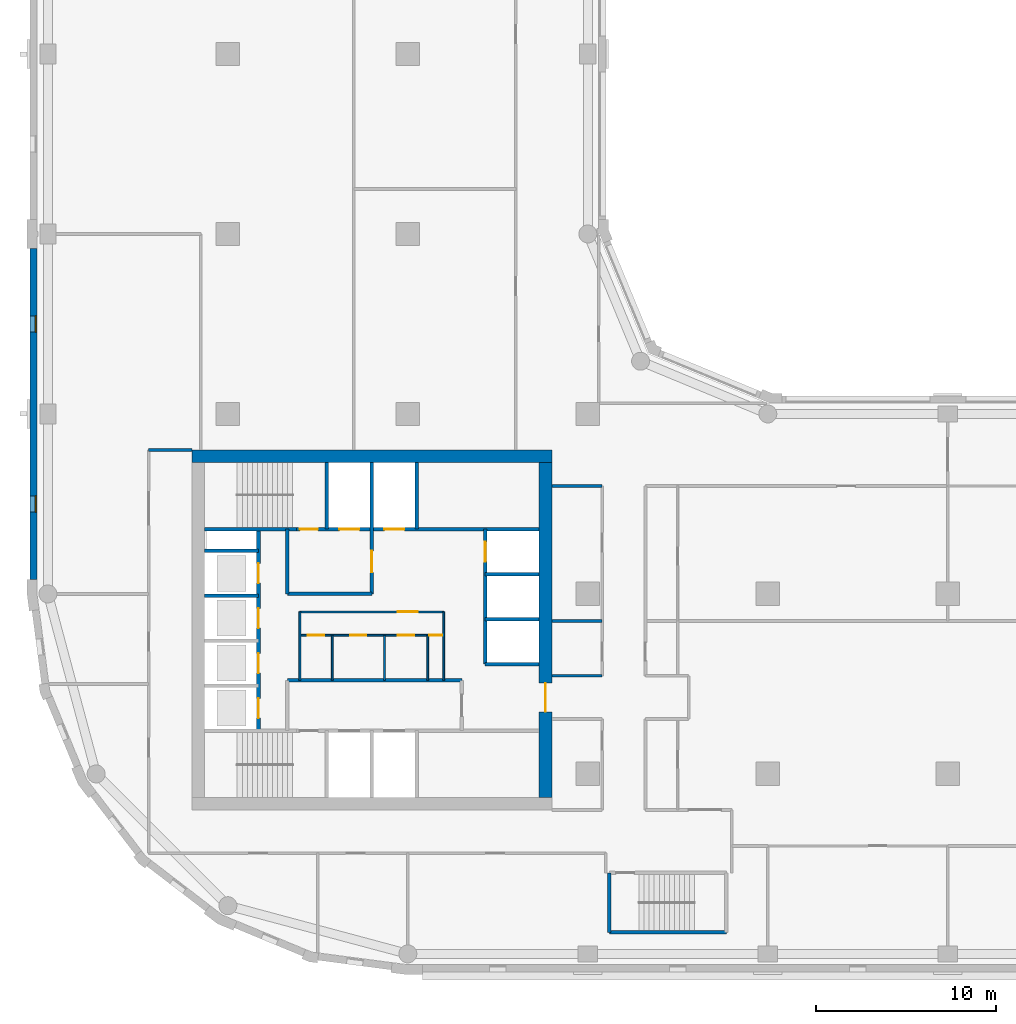
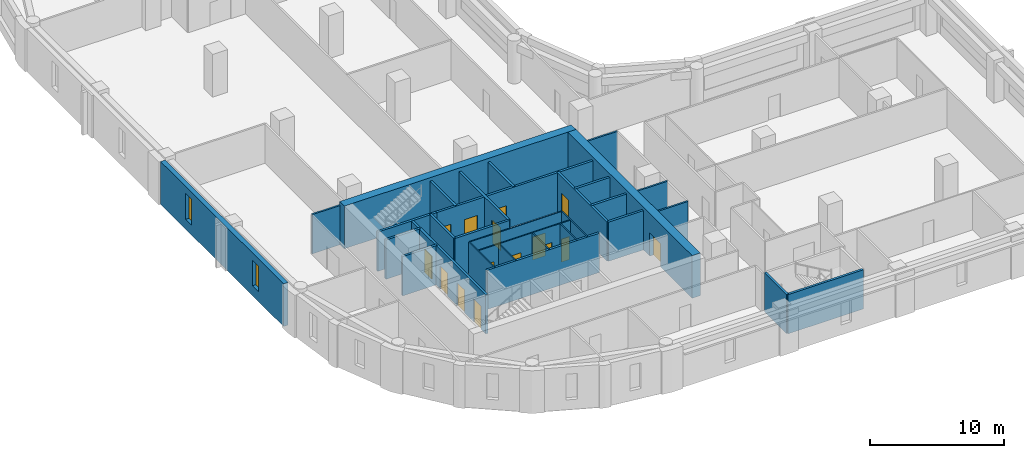
# One storey, part 3 of 9: 31 walls, 15 doors, 2 windows, 17 openings.
"""IFC4 building model written with IfcOpenShell, lengths in metres."""

import ifcopenshell
import ifcopenshell.guid

model = None  # the IFC model being written
_history = None  # IfcOwnerHistory: only IFC2X3 demands one
_inside = {}  # id of a spatial element -> (the spatial element, [elements in it])
_under = {}  # id of a project, library or spatial element -> (it, [spatial elements below it])
_declared = {}  # id of a project -> (the project, [libraries it declares])
_typed = {}  # id of a type object -> (the type object, [elements of that type])
_made_of = {}  # id of a material, layer set ... -> (it, [elements and type objects made of it])


def new_model(schema):
    """Start an empty IFC model of exactly this schema.

    Asked for "IFC4X3", IfcOpenShell would pick the latest addendum, in which some entities
    have other attributes; the version numbers below select the first issue.
    IFC2X3 requires an IfcOwnerHistory on every rooted entity: one is made here for all.
    """
    global model, _history
    if schema == "IFC4X3":
        model = ifcopenshell.file(schema_version=(4, 3, 0, 0))
    else:
        model = ifcopenshell.file(schema=schema)
    _inside.clear()
    _under.clear()
    _declared.clear()
    _typed.clear()
    _made_of.clear()
    _history = None
    if model.schema == "IFC2X3":
        org = make("IfcOrganization", Name="unknown")
        user = make(
            "IfcPersonAndOrganization",
            ThePerson=make("IfcPerson", FamilyName="unknown"),
            TheOrganization=org,
        )
        app = make(
            "IfcApplication",
            ApplicationDeveloper=org,
            Version="unknown",
            ApplicationFullName="unknown",
            ApplicationIdentifier="unknown",
        )
        _history = make(
            "IfcOwnerHistory",
            OwningUser=user,
            OwningApplication=app,
            ChangeAction="ADDED",
            CreationDate=0,
        )
    return model


def make(cls, **values):
    """One entity of the class cls with the attributes given. An attribute that is None is left unset."""
    return model.create_entity(
        cls, **{name: value for name, value in values.items() if value is not None}
    )


def rooted(cls, **values):
    """An entity with a GlobalId (a new one), such as an element, a storey or a relation."""
    return make(cls, GlobalId=ifcopenshell.guid.new(), OwnerHistory=_history, **values)


def si_unit(unit_type, name, prefix=None):
    """IfcSIUnit, for example si_unit("LENGTHUNIT", "METRE", prefix="MILLI")."""
    return make("IfcSIUnit", UnitType=unit_type, Prefix=prefix, Name=name)


def assignment(units):
    """IfcUnitAssignment: the units of a project."""
    return None if units is None else make("IfcUnitAssignment", Units=units)


def point(xyz):
    """IfcCartesianPoint."""
    return None if xyz is None else make("IfcCartesianPoint", Coordinates=xyz)


def direction(xyz):
    """IfcDirection."""
    return None if xyz is None else make("IfcDirection", DirectionRatios=xyz)


def frame(location, z_axis=None, x_axis=None):
    """IfcAxis2Placement3D, a coordinate frame: its origin and axes. An axis left out is left unset."""
    return make(
        "IfcAxis2Placement3D",
        Location=point(location),
        Axis=direction(z_axis),
        RefDirection=direction(x_axis),
    )


def frame_2d(location, x_axis=None):
    """IfcAxis2Placement2D, a coordinate frame in the plane: its origin and x axis."""
    return make(
        "IfcAxis2Placement2D", Location=point(location), RefDirection=direction(x_axis)
    )


def origin():
    """The frame at (0, 0, 0) with its axes left unset."""
    return frame((0.0, 0.0, 0.0))


def place(relative_to, where):
    """IfcLocalPlacement: puts the frame where relative to a parent placement (None: the world)."""
    return make(
        "IfcLocalPlacement", PlacementRelTo=relative_to, RelativePlacement=where
    )


def context(
    kind, dimensions, precision=None, world=None, true_north=None, identifier=None
):
    """IfcGeometricRepresentationContext, for example the 3D "Model" context."""
    return make(
        "IfcGeometricRepresentationContext",
        ContextIdentifier=identifier,
        ContextType=kind,
        CoordinateSpaceDimension=dimensions,
        Precision=precision,
        WorldCoordinateSystem=world,
        TrueNorth=true_north,
    )


def subcontext(parent, identifier, kind, view, scale=None):
    """IfcGeometricRepresentationSubContext, for example "Body" below "Model"."""
    return make(
        "IfcGeometricRepresentationSubContext",
        ContextIdentifier=identifier,
        ContextType=kind,
        ParentContext=parent,
        TargetScale=scale,
        TargetView=view,
    )


def project(units=None, contexts=None):
    """IfcProject with its units and contexts."""
    return rooted(
        "IfcProject",
        Name="project",
        RepresentationContexts=contexts,
        UnitsInContext=assignment(units),
    )


def spatial(cls, under=None, at=None, **own):
    """A site, building, storey or space (cls), placed at a placement, below another one or the project."""
    s = rooted(cls, ObjectPlacement=at, **own)
    if under is not None:
        _under.setdefault(under.id(), (under, []))[1].append(s)
    return s


def profile(cls, at=None, kind="AREA", **sizes):
    """A parametric profile (cls). Its sizes go by their IFC names, for example OverallWidth=200.0."""
    return make(cls, ProfileType=kind, Position=at, **sizes)


def rectangle(**sizes):
    """IfcRectangleProfileDef."""
    return profile("IfcRectangleProfileDef", **sizes)


def extrude(swept, where, along, depth):
    """IfcExtrudedAreaSolid: the profile swept, set in the frame where, extruded along a direction by depth."""
    return make(
        "IfcExtrudedAreaSolid",
        SweptArea=swept,
        Position=where,
        ExtrudedDirection=direction(along),
        Depth=depth,
    )


def shape(context_of_items, identifier, shape_type, items):
    """IfcShapeRepresentation: the items that make up one representation, for example the "Body"."""
    return make(
        "IfcShapeRepresentation",
        ContextOfItems=context_of_items,
        RepresentationIdentifier=identifier,
        RepresentationType=shape_type,
        Items=items,
    )


def material(Name=None, Category=None):
    """IfcMaterial."""
    return make("IfcMaterial", Name=Name, Category=Category)


def layer(
    of_material, thickness, ventilated=None, Name=None, Category=None, Priority=None
):
    """IfcMaterialLayer: one layer of a wall or slab, of a material (None: an air gap)."""
    return make(
        "IfcMaterialLayer",
        Material=of_material,
        LayerThickness=thickness,
        IsVentilated=ventilated,
        Name=Name,
        Category=Category,
        Priority=Priority,
    )


def layer_set(layers, Name=None):
    """IfcMaterialLayerSet."""
    return make("IfcMaterialLayerSet", MaterialLayers=layers, LayerSetName=Name)


def made_of(thing, what):
    """Note that an element or type object is made of a material, layer set ...; save() writes the relation."""
    if what is not None:
        _made_of.setdefault(what.id(), (what, []))[1].append(thing)
    return thing


def type_object(cls, material=None, **own):
    """A type object (cls), such as IfcWallType, which elements share."""
    return made_of(rooted(cls, **own), material)


def element(
    cls,
    number,
    at=None,
    inside=None,
    cuts=None,
    type_object=None,
    material=None,
    context=None,
    identifier="Body",
    shape_type=None,
    held_by="IfcProductDefinitionShape",
    body=None,
    shapes=None,
    **own,
):
    """One element of the class cls, such as IfcWall. Its Tag is "e" and its number.

    at: its placement. inside: the storey or other place that contains it. cuts: it is an
    opening in that element (IfcRelVoidsElement). A single representation is given by context,
    identifier, shape_type and body (its items); several are given by shapes. held_by: the class
    of the entity that holds the representations. save() writes the other relations.
    """
    e = rooted(cls, Tag="e%d" % number, ObjectPlacement=at, **own)
    if body is not None:
        shapes = [shape(context, identifier, shape_type, body)]
    if shapes is not None:
        e.Representation = make(held_by, Representations=shapes)
    if inside is not None:
        _inside.setdefault(inside.id(), (inside, []))[1].append(e)
    if cuts is not None:
        rooted(
            "IfcRelVoidsElement", RelatingBuildingElement=cuts, RelatedOpeningElement=e
        )
    if type_object is not None:
        _typed.setdefault(type_object.id(), (type_object, []))[1].append(e)
    return made_of(e, material)


def fill(opening, filler):
    """IfcRelFillsElement: the door or window that sits in an opening."""
    return rooted(
        "IfcRelFillsElement",
        RelatingOpeningElement=opening,
        RelatedBuildingElement=filler,
    )


def aggregate(whole, parts):
    """IfcRelAggregates: a whole, such as a stair, and the parts it consists of."""
    return rooted("IfcRelAggregates", RelatingObject=whole, RelatedObjects=parts)


def save(model, path):
    """Write the relations noted so far, then the file.

    IfcRelAggregates (storeys below a building ...), IfcRelContainedInSpatialStructure (elements
    in a storey), IfcRelDefinesByType, IfcRelAssociatesMaterial and IfcRelDeclares: one each for
    every whole, place, type object, material and project.
    """
    for whole, parts in _under.values():
        aggregate(whole, parts)
    for where, things in _inside.values():
        rooted(
            "IfcRelContainedInSpatialStructure",
            RelatedElements=things,
            RelatingStructure=where,
        )
    for kind, things in _typed.values():
        rooted("IfcRelDefinesByType", RelatedObjects=things, RelatingType=kind)
    for what, things in _made_of.values():
        rooted("IfcRelAssociatesMaterial", RelatedObjects=things, RelatingMaterial=what)
    for by, libraries in _declared.values():
        rooted("IfcRelDeclares", RelatingContext=by, RelatedDefinitions=libraries)
    model.write(path)


model = new_model("IFC4")

# Units and contexts
model_context = context("Model", 3, precision=1e-05, world=origin(), true_north=direction((0.0, 1.0)))
body_context = subcontext(model_context, "Body", "Model", "MODEL_VIEW")
ifc_project = project(units=[si_unit("LENGTHUNIT", "METRE"), si_unit("AREAUNIT", "SQUARE_METRE"), si_unit("VOLUMEUNIT", "CUBIC_METRE"), si_unit("PLANEANGLEUNIT", "RADIAN"), si_unit("MASSUNIT", "GRAM", prefix="KILO")], contexts=[model_context])

# Site, building, storey
site_placement = place(None, origin())
site = spatial("IfcSite", under=ifc_project, at=site_placement, CompositionType="ELEMENT")
building_placement = place(site_placement, origin())
building = spatial("IfcBuilding", under=site, at=building_placement, Name="Qaws Garden Tower", CompositionType="ELEMENT")
storey_placement = place(building_placement, frame((0.0, 0.0, 170.699951171875)))
storey = spatial("IfcBuildingStorey", under=building, at=storey_placement, Name="L41", CompositionType="ELEMENT", Elevation=170.699951171875)

# Wall, openings, windows
ifc_material_1 = material(Name="Clay facing brick masonry", Category="masonry")
ifc_layer_1 = layer(ifc_material_1, 0.39990234375)
ifc_layer_set_1 = layer_set([ifc_layer_1], Name="Clay facing brick masonry")
wall_type_1 = type_object("IfcWallType", Name="Brick infill wall 400", PredefinedType="SOLIDWALL", material=ifc_layer_set_1)
wall_1_placement = place(storey_placement, frame((-0.800048828125, 39.199951171875, 0.0), z_axis=(0.0, 0.0, 1.0), x_axis=(0.0, -1.0, 0.0)))
wall_1 = element("IfcWall", 1, at=wall_1_placement, inside=storey, type_object=wall_type_1, Name="E-L41-infill-23", PredefinedType="SOLIDWALL", context=body_context, shape_type="SweptSolid", body=[
    extrude(rectangle(XDim=18.39990234375, YDim=0.39990234375, at=frame_2d((9.199951171875, 0.0))), origin(), (0.0, 0.0, 1.0), 3.900146484375),
])
opening_1_placement = place(wall_1_placement, frame((3.75, 0.0, 0.89990234375)))
opening_1 = element("IfcOpeningElement", 2, at=opening_1_placement, cuts=wall_1, Name="Opening W09", PredefinedType="OPENING", context=body_context, shape_type="SweptSolid", body=[
    extrude(rectangle(XDim=0.89990234375, YDim=2.35009765625, at=frame_2d((0.449951171875, 1.175048828125))), frame((0.0, 0.2099609375, 0.0), z_axis=(0.0, -1.0, 0.0), x_axis=(1.0, 0.0, 0.0)), (0.0, 0.0, 1.0), 0.419921875),
])
opening_2_placement = place(wall_1_placement, frame((13.75, 0.0, 0.89990234375)))
opening_2 = element("IfcOpeningElement", 3, at=opening_2_placement, cuts=wall_1, Name="Opening W09", PredefinedType="OPENING", context=body_context, shape_type="SweptSolid", body=[
    extrude(rectangle(XDim=0.89990234375, YDim=2.35009765625, at=frame_2d((0.449951171875, 1.175048828125))), frame((0.0, 0.2099609375, 0.0), z_axis=(0.0, -1.0, 0.0), x_axis=(1.0, 0.0, 0.0)), (0.0, 0.0, 1.0), 0.419921875),
])
ifc_material_2 = material(Name="Aluminium framed window, clear glazing", Category="aluminium")
window_type = type_object("IfcWindowType", Name="Slit window 900 x 2350", PartitioningType="SINGLE_PANEL", PredefinedType="WINDOW", material=ifc_material_2)
window_1_placement = place(opening_1_placement, origin())
window_1 = element("IfcWindow", 4, at=window_1_placement, inside=storey, type_object=window_type, Name="E-L41-window-23-0", OverallHeight=2.35009765625, OverallWidth=0.89990234375, PartitioningType="SINGLE_PANEL", PredefinedType="WINDOW", context=body_context, shape_type="SweptSolid", body=[
    extrude(rectangle(XDim=0.89990234375, YDim=2.35009765625, at=frame_2d((0.449951171875, 1.175048828125))), frame((0.0, 0.159912109375, 0.0), z_axis=(0.0, -1.0, 0.0), x_axis=(1.0, 0.0, 0.0)), (0.0, 0.0, 1.0), 0.06005859375),
])
fill(opening_1, window_1)
window_2_placement = place(opening_2_placement, origin())
window_2 = element("IfcWindow", 5, at=window_2_placement, inside=storey, type_object=window_type, Name="E-L41-window-24-0", OverallHeight=2.35009765625, OverallWidth=0.89990234375, PartitioningType="SINGLE_PANEL", PredefinedType="WINDOW", context=body_context, shape_type="SweptSolid", body=[
    extrude(rectangle(XDim=0.89990234375, YDim=2.35009765625, at=frame_2d((0.449951171875, 1.175048828125))), frame((0.0, 0.159912109375, 0.0), z_axis=(0.0, -1.0, 0.0), x_axis=(1.0, 0.0, 0.0)), (0.0, 0.0, 1.0), 0.06005859375),
])
fill(opening_2, window_2)

# Wall, openings, doors
ifc_material_3 = material(Name="Plasterboard")
ifc_layer_2 = layer(ifc_material_3, 0.10009765625)
ifc_layer_set_2 = layer_set([ifc_layer_2], Name="Plasterboard")
wall_type_2 = type_object("IfcWallType", Name="Core partition 100", PredefinedType="PARTITIONING", material=ifc_layer_set_2)
wall_2_placement = place(storey_placement, frame((14.0, 17.699951171875, 0.0), z_axis=(0.0, 0.0, 1.0), x_axis=(1.0, 0.0, 0.0)))
wall_2 = element("IfcWall", 6, at=wall_2_placement, inside=storey, type_object=wall_type_2, Name="Core partition", PredefinedType="PARTITIONING", context=body_context, shape_type="SweptSolid", body=[
    extrude(rectangle(XDim=8.0, YDim=0.10009765625, at=frame_2d((4.0, 0.0))), origin(), (0.0, 0.0, 1.0), 3.580078125),
])
opening_3_placement = place(wall_2_placement, frame((0.449951171875, 0.0, 0.0)))
opening_3 = element("IfcOpeningElement", 7, at=opening_3_placement, cuts=wall_2, Name="Opening WD18", PredefinedType="OPENING", context=body_context, shape_type="SweptSolid", body=[
    extrude(rectangle(XDim=0.89990234375, YDim=2.10009765625, at=frame_2d((0.449951171875, 1.050048828125))), frame((0.0, 0.06005859375, 0.0), z_axis=(0.0, -1.0, 0.0), x_axis=(1.0, 0.0, 0.0)), (0.0, 0.0, 1.0), 0.1201171875),
])
opening_4_placement = place(wall_2_placement, frame((2.800048828125, 0.0, 0.0)))
opening_4 = element("IfcOpeningElement", 8, at=opening_4_placement, cuts=wall_2, Name="Opening WD19", PredefinedType="OPENING", context=body_context, shape_type="SweptSolid", body=[
    extrude(rectangle(XDim=0.89990234375, YDim=2.10009765625, at=frame_2d((0.449951171875, 1.050048828125))), frame((0.0, 0.06005859375, 0.0), z_axis=(0.0, -1.0, 0.0), x_axis=(1.0, 0.0, 0.0)), (0.0, 0.0, 1.0), 0.1201171875),
])
opening_5_placement = place(wall_2_placement, frame((5.449951171875, 0.0, 0.0)))
opening_5 = element("IfcOpeningElement", 9, at=opening_5_placement, cuts=wall_2, Name="Opening WD20", PredefinedType="OPENING", context=body_context, shape_type="SweptSolid", body=[
    extrude(rectangle(XDim=0.89990234375, YDim=2.10009765625, at=frame_2d((0.449951171875, 1.050048828125))), frame((0.0, 0.06005859375, 0.0), z_axis=(0.0, -1.0, 0.0), x_axis=(1.0, 0.0, 0.0)), (0.0, 0.0, 1.0), 0.1201171875),
])
opening_6_placement = place(wall_2_placement, frame((7.199951171875, 0.0, 0.0)))
opening_6 = element("IfcOpeningElement", 10, at=opening_6_placement, cuts=wall_2, Name="Opening XD21", PredefinedType="OPENING", context=body_context, shape_type="SweptSolid", body=[
    extrude(rectangle(XDim=0.699951171875, YDim=2.10009765625, at=frame_2d((0.35009765625, 1.050048828125))), frame((0.0, 0.06005859375, 0.0), z_axis=(0.0, -1.0, 0.0), x_axis=(1.0, 0.0, 0.0)), (0.0, 0.0, 1.0), 0.1201171875),
])
ifc_material_4 = material(Name="Timber", Category="wood")
door_type_1 = type_object("IfcDoorType", Name="Store door 700x2100", OperationType="SINGLE_SWING_LEFT", PredefinedType="DOOR", material=ifc_material_4)
door_1_placement = place(opening_6_placement, frame((0.699951171875, 0.0, 0.0), z_axis=(0.0, 0.0, 1.0), x_axis=(-1.0, 0.0, 0.0)))
door_1 = element("IfcDoor", 11, at=door_1_placement, inside=storey, type_object=door_type_1, Name="Cleaner's store door", OperationType="SINGLE_SWING_LEFT", OverallHeight=2.10009765625, OverallWidth=0.699951171875, PredefinedType="DOOR", context=body_context, shape_type="SweptSolid", body=[
    extrude(rectangle(XDim=0.699951171875, YDim=2.10009765625, at=frame_2d((0.35009765625, 1.050048828125))), frame((0.0, 0.02490234375, 0.0), z_axis=(0.0, -1.0, 0.0), x_axis=(1.0, 0.0, 0.0)), (0.0, 0.0, 1.0), 0.050048828125),
])
fill(opening_6, door_1)
ifc_material_5 = material(Name="Timber", Category="wood")
door_type_2 = type_object("IfcDoorType", Name="WC door 900x2100", OperationType="SINGLE_SWING_LEFT", PredefinedType="DOOR", material=ifc_material_5)
door_2_placement = place(opening_3_placement, frame((0.89990234375, 0.0, 0.0), z_axis=(0.0, 0.0, 1.0), x_axis=(-1.0, 0.0, 0.0)))
door_2 = element("IfcDoor", 12, at=door_2_placement, inside=storey, type_object=door_type_2, Name="Accessible WC door", OperationType="SINGLE_SWING_LEFT", OverallHeight=2.10009765625, OverallWidth=0.89990234375, PredefinedType="DOOR", context=body_context, shape_type="SweptSolid", body=[
    extrude(rectangle(XDim=0.89990234375, YDim=2.10009765625, at=frame_2d((0.449951171875, 1.050048828125))), frame((0.0, 0.02490234375, 0.0), z_axis=(0.0, -1.0, 0.0), x_axis=(1.0, 0.0, 0.0)), (0.0, 0.0, 1.0), 0.050048828125),
])
fill(opening_3, door_2)
door_3_placement = place(opening_4_placement, frame((0.89990234375, 0.0, 0.0), z_axis=(0.0, 0.0, 1.0), x_axis=(-1.0, 0.0, 0.0)))
door_3 = element("IfcDoor", 13, at=door_3_placement, inside=storey, type_object=door_type_2, Name="Women's WC door", OperationType="SINGLE_SWING_LEFT", OverallHeight=2.10009765625, OverallWidth=0.89990234375, PredefinedType="DOOR", context=body_context, shape_type="SweptSolid", body=[
    extrude(rectangle(XDim=0.89990234375, YDim=2.10009765625, at=frame_2d((0.449951171875, 1.050048828125))), frame((0.0, 0.02490234375, 0.0), z_axis=(0.0, -1.0, 0.0), x_axis=(1.0, 0.0, 0.0)), (0.0, 0.0, 1.0), 0.050048828125),
])
fill(opening_4, door_3)
door_4_placement = place(opening_5_placement, frame((0.89990234375, 0.0, 0.0), z_axis=(0.0, 0.0, 1.0), x_axis=(-1.0, 0.0, 0.0)))
door_4 = element("IfcDoor", 14, at=door_4_placement, inside=storey, type_object=door_type_2, Name="Men's WC door", OperationType="SINGLE_SWING_LEFT", OverallHeight=2.10009765625, OverallWidth=0.89990234375, PredefinedType="DOOR", context=body_context, shape_type="SweptSolid", body=[
    extrude(rectangle(XDim=0.89990234375, YDim=2.10009765625, at=frame_2d((0.449951171875, 1.050048828125))), frame((0.0, 0.02490234375, 0.0), z_axis=(0.0, -1.0, 0.0), x_axis=(1.0, 0.0, 0.0)), (0.0, 0.0, 1.0), 0.050048828125),
])
fill(opening_5, door_4)

# Wall, opening, door
wall_3_placement = place(storey_placement, frame((14.0, 19.0, 0.0), z_axis=(0.0, 0.0, 1.0), x_axis=(1.0, 0.0, 0.0)))
wall_3 = element("IfcWall", 15, at=wall_3_placement, inside=storey, type_object=wall_type_2, Name="Core partition", PredefinedType="PARTITIONING", context=body_context, shape_type="SweptSolid", body=[
    extrude(rectangle(XDim=8.0, YDim=0.10009765625, at=frame_2d((4.0, 0.0))), origin(), (0.0, 0.0, 1.0), 3.580078125),
])
opening_7_placement = place(wall_3_placement, frame((5.449951171875, 0.0, 0.0)))
opening_7 = element("IfcOpeningElement", 16, at=opening_7_placement, cuts=wall_3, Name="Opening WL17", PredefinedType="OPENING", context=body_context, shape_type="SweptSolid", body=[
    extrude(rectangle(XDim=1.10009765625, YDim=2.10009765625, at=frame_2d((0.550048828125, 1.050048828125))), frame((0.0, 0.06005859375, 0.0), z_axis=(0.0, -1.0, 0.0), x_axis=(1.0, 0.0, 0.0)), (0.0, 0.0, 1.0), 0.1201171875),
])
ifc_material_6 = material(Name="Timber", Category="wood")
door_type_3 = type_object("IfcDoorType", Name="WC lobby door 1100x2100", OperationType="SINGLE_SWING_LEFT", PredefinedType="DOOR", material=ifc_material_6)
door_5_placement = place(opening_7_placement, frame((1.10009765625, 0.0, 0.0), z_axis=(0.0, 0.0, 1.0), x_axis=(-1.0, 0.0, 0.0)))
door_5 = element("IfcDoor", 17, at=door_5_placement, inside=storey, type_object=door_type_3, Name="WC lobby door", OperationType="SINGLE_SWING_LEFT", OverallHeight=2.10009765625, OverallWidth=1.10009765625, PredefinedType="DOOR", context=body_context, shape_type="SweptSolid", body=[
    extrude(rectangle(XDim=1.10009765625, YDim=2.10009765625, at=frame_2d((0.550048828125, 1.050048828125))), frame((0.0, 0.02490234375, 0.0), z_axis=(0.0, -1.0, 0.0), x_axis=(1.0, 0.0, 0.0)), (0.0, 0.0, 1.0), 0.050048828125),
])
fill(opening_7, door_5)

# Walls
wall_4_placement = place(storey_placement, frame((14.0, 15.199951171875, 0.0), z_axis=(0.0, 0.0, 1.0), x_axis=(0.0, 1.0, 0.0)))
element("IfcWall", 18, at=wall_4_placement, inside=storey, type_object=wall_type_2, Name="Core partition", PredefinedType="PARTITIONING", context=body_context, shape_type="SweptSolid", body=[
    extrude(rectangle(XDim=3.800048828125, YDim=0.10009765625, at=frame_2d((1.89990234375, 0.0))), origin(), (0.0, 0.0, 1.0), 3.580078125),
])
for number, where, z_axis, x_axis, name in (
    (19, (15.800048828125, 15.199951171875, 0.0), (0.0, 0.0, 1.0), (0.0, 1.0, 0.0), "Core partition"),
    (20, (18.699951171875, 15.199951171875, 0.0), (0.0, 0.0, 1.0), (0.0, 1.0, 0.0), "Core partition"),
    (21, (21.10009765625, 15.199951171875, 0.0), (0.0, 0.0, 1.0), (0.0, 1.0, 0.0), "Core partition"),
):
    element("IfcWall", number, at=place(storey_placement, frame(where, z_axis=z_axis, x_axis=x_axis)), inside=storey, type_object=wall_type_2, Name=name, PredefinedType="PARTITIONING", context=body_context, shape_type="SweptSolid", body=[
        extrude(rectangle(XDim=2.5, YDim=0.10009765625, at=frame_2d((1.25, 0.0))), origin(), (0.0, 0.0, 1.0), 3.580078125),
    ])
wall_5_placement = place(storey_placement, frame((22.0, 15.199951171875, 0.0), z_axis=(0.0, 0.0, 1.0), x_axis=(0.0, 1.0, 0.0)))
element("IfcWall", 22, at=wall_5_placement, inside=storey, type_object=wall_type_2, Name="Core partition", PredefinedType="PARTITIONING", context=body_context, shape_type="SweptSolid", body=[
    extrude(rectangle(XDim=3.800048828125, YDim=0.10009765625, at=frame_2d((1.89990234375, 0.0))), origin(), (0.0, 0.0, 1.0), 3.580078125),
])
ifc_material_7 = material(Name="Concrete C70", Category="concrete")
ifc_layer_3 = layer(ifc_material_7, 0.199951171875)
ifc_layer_set_3 = layer_set([ifc_layer_3], Name="Concrete C70")
wall_type_3 = type_object("IfcWallType", Name="Core shaft wall 200 C70", PredefinedType="SHEAR", material=ifc_layer_set_3)
wall_6_placement = place(storey_placement, frame((31.199951171875, 1.199951171875, 0.0), z_axis=(0.0, 0.0, 1.0), x_axis=(1.0, 0.0, 0.0)))
element("IfcWall", 23, at=wall_6_placement, inside=storey, type_object=wall_type_3, Name="Shaft wall", PredefinedType="SHEAR", context=body_context, shape_type="SweptSolid", body=[
    extrude(rectangle(XDim=6.5, YDim=0.199951171875, at=frame_2d((3.25, 0.0))), origin(), (0.0, 0.0, 1.0), 3.580078125),
])
wall_7_placement = place(storey_placement, frame((13.300048828125, 15.199951171875, 0.0), z_axis=(0.0, 0.0, 1.0), x_axis=(1.0, 0.0, 0.0)))
element("IfcWall", 24, at=wall_7_placement, inside=storey, type_object=wall_type_3, Name="Shaft wall", PredefinedType="SHEAR", context=body_context, shape_type="SweptSolid", body=[
    extrude(rectangle(XDim=9.699951171875, YDim=0.199951171875, at=frame_2d((4.85009765625, 0.0))), origin(), (0.0, 0.0, 1.0), 3.580078125),
])
for number, where, z_axis, x_axis, name in (
    (25, (24.300048828125, 16.10009765625, 0.0), (0.0, 0.0, 1.0), (1.0, 0.0, 0.0), "Shaft wall"),
    (26, (24.300048828125, 18.60009765625, 0.0), (0.0, 0.0, 1.0), (1.0, 0.0, 0.0), "Shaft wall"),
    (27, (8.699951171875, 19.89990234375, 0.0), (0.0, 0.0, 1.0), (1.0, 0.0, 0.0), "Shaft wall"),
):
    element("IfcWall", number, at=place(storey_placement, frame(where, z_axis=z_axis, x_axis=x_axis)), inside=storey, type_object=wall_type_3, Name=name, PredefinedType="SHEAR", context=body_context, shape_type="SweptSolid", body=[
        extrude(rectangle(XDim=3.0, YDim=0.199951171875, at=frame_2d((1.5, 0.0))), origin(), (0.0, 0.0, 1.0), 3.580078125),
    ])
wall_8_placement = place(storey_placement, frame((13.300048828125, 20.0, 0.0), z_axis=(0.0, 0.0, 1.0), x_axis=(1.0, 0.0, 0.0)))
element("IfcWall", 28, at=wall_8_placement, inside=storey, type_object=wall_type_3, Name="Shaft wall", PredefinedType="SHEAR", context=body_context, shape_type="SweptSolid", body=[
    extrude(rectangle(XDim=4.699951171875, YDim=0.199951171875, at=frame_2d((2.35009765625, 0.0))), origin(), (0.0, 0.0, 1.0), 3.580078125),
])
for number, where, z_axis, x_axis, name in (
    (29, (24.300048828125, 21.10009765625, 0.0), (0.0, 0.0, 1.0), (1.0, 0.0, 0.0), "Shaft wall"),
    (30, (8.699951171875, 22.39990234375, 0.0), (0.0, 0.0, 1.0), (1.0, 0.0, 0.0), "Shaft wall"),
):
    element("IfcWall", number, at=place(storey_placement, frame(where, z_axis=z_axis, x_axis=x_axis)), inside=storey, type_object=wall_type_3, Name=name, PredefinedType="SHEAR", context=body_context, shape_type="SweptSolid", body=[
        extrude(rectangle(XDim=3.0, YDim=0.199951171875, at=frame_2d((1.5, 0.0))), origin(), (0.0, 0.0, 1.0), 3.580078125),
    ])
wall_9_placement = place(storey_placement, frame((8.699951171875, 23.60009765625, 0.0), z_axis=(0.0, 0.0, 1.0), x_axis=(1.0, 0.0, 0.0)))
element("IfcWall", 31, at=wall_9_placement, inside=storey, type_object=wall_type_3, Name="Shaft wall", PredefinedType="SHEAR", context=body_context, shape_type="SweptSolid", body=[
    extrude(rectangle(XDim=5.10009765625, YDim=0.199951171875, at=frame_2d((2.550048828125, 0.0))), origin(), (0.0, 0.0, 1.0), 3.580078125),
])

# Wall, openings, doors
wall_10_placement = place(storey_placement, frame((13.800048828125, 23.60009765625, 0.0), z_axis=(0.0, 0.0, 1.0), x_axis=(1.0, 0.0, 0.0)))
wall_10 = element("IfcWall", 32, at=wall_10_placement, inside=storey, type_object=wall_type_3, Name="Shaft wall", PredefinedType="SHEAR", context=body_context, shape_type="SweptSolid", body=[
    extrude(rectangle(XDim=13.5, YDim=0.199951171875, at=frame_2d((6.75, 0.0))), origin(), (0.0, 0.0, 1.0), 3.580078125),
])
opening_8_placement = place(wall_10_placement, frame((2.39990234375, 0.0, 0.0)))
opening_8 = element("IfcOpeningElement", 33, at=opening_8_placement, cuts=wall_10, Name="Opening LD08", PredefinedType="OPENING", context=body_context, shape_type="SweptSolid", body=[
    extrude(rectangle(XDim=1.10009765625, YDim=2.10009765625, at=frame_2d((0.550048828125, 1.050048828125))), frame((0.0, 0.10986328125, 0.0), z_axis=(0.0, -1.0, 0.0), x_axis=(1.0, 0.0, 0.0)), (0.0, 0.0, 1.0), 0.219970703125),
])
opening_9_placement = place(wall_10_placement, frame((4.89990234375, 0.0, 0.0)))
opening_9 = element("IfcOpeningElement", 34, at=opening_9_placement, cuts=wall_10, Name="Opening LD09", PredefinedType="OPENING", context=body_context, shape_type="SweptSolid", body=[
    extrude(rectangle(XDim=1.10009765625, YDim=2.10009765625, at=frame_2d((0.550048828125, 1.050048828125))), frame((0.0, 0.10986328125, 0.0), z_axis=(0.0, -1.0, 0.0), x_axis=(1.0, 0.0, 0.0)), (0.0, 0.0, 1.0), 0.219970703125),
])
opening_10_placement = place(wall_10_placement, frame((0.199951171875, 0.0, 0.0)))
opening_10 = element("IfcOpeningElement", 35, at=opening_10_placement, cuts=wall_10, Name="Opening SD11", PredefinedType="OPENING", context=body_context, shape_type="SweptSolid", body=[
    extrude(rectangle(XDim=1.0, YDim=2.10009765625, at=frame_2d((0.5, 1.050048828125))), frame((0.0, 0.10986328125, 0.0), z_axis=(0.0, -1.0, 0.0), x_axis=(1.0, 0.0, 0.0)), (0.0, 0.0, 1.0), 0.219970703125),
])
ifc_material_8 = material(Name="Steel S235", Category="steel")
door_type_4 = type_object("IfcDoorType", Name="Landing door 1100x2100", OperationType="DOUBLE_DOOR_SLIDING", PredefinedType="DOOR", material=ifc_material_8)
door_6_placement = place(opening_8_placement, origin())
door_6 = element("IfcDoor", 36, at=door_6_placement, inside=storey, type_object=door_type_4, Name="Lift FF3 landing door", OperationType="DOUBLE_DOOR_SLIDING", OverallHeight=2.10009765625, OverallWidth=1.10009765625, PredefinedType="DOOR", context=body_context, shape_type="SweptSolid", body=[
    extrude(rectangle(XDim=1.10009765625, YDim=2.10009765625, at=frame_2d((0.550048828125, 1.050048828125))), frame((0.0, 0.02490234375, 0.0), z_axis=(0.0, -1.0, 0.0), x_axis=(1.0, 0.0, 0.0)), (0.0, 0.0, 1.0), 0.050048828125),
])
fill(opening_8, door_6)
door_7_placement = place(opening_9_placement, origin())
door_7 = element("IfcDoor", 37, at=door_7_placement, inside=storey, type_object=door_type_4, Name="Lift SV2 landing door", OperationType="DOUBLE_DOOR_SLIDING", OverallHeight=2.10009765625, OverallWidth=1.10009765625, PredefinedType="DOOR", context=body_context, shape_type="SweptSolid", body=[
    extrude(rectangle(XDim=1.10009765625, YDim=2.10009765625, at=frame_2d((0.550048828125, 1.050048828125))), frame((0.0, 0.02490234375, 0.0), z_axis=(0.0, -1.0, 0.0), x_axis=(1.0, 0.0, 0.0)), (0.0, 0.0, 1.0), 0.050048828125),
])
fill(opening_9, door_7)
ifc_material_9 = material(Name="Steel S235", Category="steel")
door_type_5 = type_object("IfcDoorType", Name="Stair door 1000x2100", OperationType="SINGLE_SWING_RIGHT", PredefinedType="DOOR", material=ifc_material_9)
door_8_placement = place(opening_10_placement, origin())
door_8 = element("IfcDoor", 38, at=door_8_placement, inside=storey, type_object=door_type_5, Name="Stair 4 door", OperationType="SINGLE_SWING_RIGHT", OverallHeight=2.10009765625, OverallWidth=1.0, PredefinedType="DOOR", context=body_context, shape_type="SweptSolid", body=[
    extrude(rectangle(XDim=1.0, YDim=2.10009765625, at=frame_2d((0.5, 1.050048828125))), frame((0.0, 0.02490234375, 0.0), z_axis=(0.0, -1.0, 0.0), x_axis=(1.0, 0.0, 0.0)), (0.0, 0.0, 1.0), 0.050048828125),
])
fill(opening_10, door_8)

wall_11_placement = place(storey_placement, frame((11.699951171875, 12.39990234375, 0.0), z_axis=(0.0, 0.0, 1.0), x_axis=(0.0, 1.0, 0.0)))
wall_11 = element("IfcWall", 39, at=wall_11_placement, inside=storey, type_object=wall_type_3, Name="Shaft wall", PredefinedType="SHEAR", context=body_context, shape_type="SweptSolid", body=[
    extrude(rectangle(XDim=11.2001953125, YDim=0.199951171875, at=frame_2d((5.60009765625, 0.0))), origin(), (0.0, 0.0, 1.0), 3.580078125),
])
opening_11_placement = place(wall_11_placement, frame((0.699951171875, 0.0, 0.0)))
opening_11 = element("IfcOpeningElement", 40, at=opening_11_placement, cuts=wall_11, Name="Opening LD01", PredefinedType="OPENING", context=body_context, shape_type="SweptSolid", body=[
    extrude(rectangle(XDim=1.10009765625, YDim=2.10009765625, at=frame_2d((0.550048828125, 1.050048828125))), frame((0.0, 0.10986328125, 0.0), z_axis=(0.0, -1.0, 0.0), x_axis=(1.0, 0.0, 0.0)), (0.0, 0.0, 1.0), 0.219970703125),
])
opening_12_placement = place(wall_11_placement, frame((3.199951171875, 0.0, 0.0)))
opening_12 = element("IfcOpeningElement", 41, at=opening_12_placement, cuts=wall_11, Name="Opening LD02", PredefinedType="OPENING", context=body_context, shape_type="SweptSolid", body=[
    extrude(rectangle(XDim=1.10009765625, YDim=2.10009765625, at=frame_2d((0.550048828125, 1.050048828125))), frame((0.0, 0.10986328125, 0.0), z_axis=(0.0, -1.0, 0.0), x_axis=(1.0, 0.0, 0.0)), (0.0, 0.0, 1.0), 0.219970703125),
])
opening_13_placement = place(wall_11_placement, frame((5.699951171875, 0.0, 0.0)))
opening_13 = element("IfcOpeningElement", 42, at=opening_13_placement, cuts=wall_11, Name="Opening LD03", PredefinedType="OPENING", context=body_context, shape_type="SweptSolid", body=[
    extrude(rectangle(XDim=1.10009765625, YDim=2.10009765625, at=frame_2d((0.550048828125, 1.050048828125))), frame((0.0, 0.10986328125, 0.0), z_axis=(0.0, -1.0, 0.0), x_axis=(1.0, 0.0, 0.0)), (0.0, 0.0, 1.0), 0.219970703125),
])
opening_14_placement = place(wall_11_placement, frame((8.199951171875, 0.0, 0.0)))
opening_14 = element("IfcOpeningElement", 43, at=opening_14_placement, cuts=wall_11, Name="Opening LD04", PredefinedType="OPENING", context=body_context, shape_type="SweptSolid", body=[
    extrude(rectangle(XDim=1.10009765625, YDim=2.10009765625, at=frame_2d((0.550048828125, 1.050048828125))), frame((0.0, 0.10986328125, 0.0), z_axis=(0.0, -1.0, 0.0), x_axis=(1.0, 0.0, 0.0)), (0.0, 0.0, 1.0), 0.219970703125),
])
door_9_placement = place(opening_11_placement, origin())
door_9 = element("IfcDoor", 44, at=door_9_placement, inside=storey, type_object=door_type_4, Name="Lift W1 landing door", OperationType="DOUBLE_DOOR_SLIDING", OverallHeight=2.10009765625, OverallWidth=1.10009765625, PredefinedType="DOOR", context=body_context, shape_type="SweptSolid", body=[
    extrude(rectangle(XDim=1.10009765625, YDim=2.10009765625, at=frame_2d((0.550048828125, 1.050048828125))), frame((0.0, 0.02490234375, 0.0), z_axis=(0.0, -1.0, 0.0), x_axis=(1.0, 0.0, 0.0)), (0.0, 0.0, 1.0), 0.050048828125),
])
fill(opening_11, door_9)
door_10_placement = place(opening_12_placement, origin())
door_10 = element("IfcDoor", 45, at=door_10_placement, inside=storey, type_object=door_type_4, Name="Lift W2 landing door", OperationType="DOUBLE_DOOR_SLIDING", OverallHeight=2.10009765625, OverallWidth=1.10009765625, PredefinedType="DOOR", context=body_context, shape_type="SweptSolid", body=[
    extrude(rectangle(XDim=1.10009765625, YDim=2.10009765625, at=frame_2d((0.550048828125, 1.050048828125))), frame((0.0, 0.02490234375, 0.0), z_axis=(0.0, -1.0, 0.0), x_axis=(1.0, 0.0, 0.0)), (0.0, 0.0, 1.0), 0.050048828125),
])
fill(opening_12, door_10)
door_11_placement = place(opening_13_placement, origin())
door_11 = element("IfcDoor", 46, at=door_11_placement, inside=storey, type_object=door_type_4, Name="Lift W3 landing door", OperationType="DOUBLE_DOOR_SLIDING", OverallHeight=2.10009765625, OverallWidth=1.10009765625, PredefinedType="DOOR", context=body_context, shape_type="SweptSolid", body=[
    extrude(rectangle(XDim=1.10009765625, YDim=2.10009765625, at=frame_2d((0.550048828125, 1.050048828125))), frame((0.0, 0.02490234375, 0.0), z_axis=(0.0, -1.0, 0.0), x_axis=(1.0, 0.0, 0.0)), (0.0, 0.0, 1.0), 0.050048828125),
])
fill(opening_13, door_11)
door_12_placement = place(opening_14_placement, origin())
door_12 = element("IfcDoor", 47, at=door_12_placement, inside=storey, type_object=door_type_4, Name="Lift W4 landing door", OperationType="DOUBLE_DOOR_SLIDING", OverallHeight=2.10009765625, OverallWidth=1.10009765625, PredefinedType="DOOR", context=body_context, shape_type="SweptSolid", body=[
    extrude(rectangle(XDim=1.10009765625, YDim=2.10009765625, at=frame_2d((0.550048828125, 1.050048828125))), frame((0.0, 0.02490234375, 0.0), z_axis=(0.0, -1.0, 0.0), x_axis=(1.0, 0.0, 0.0)), (0.0, 0.0, 1.0), 0.050048828125),
])
fill(opening_14, door_12)

# Walls
wall_12_placement = place(storey_placement, frame((13.300048828125, 20.0, 0.0), z_axis=(0.0, 0.0, 1.0), x_axis=(0.0, 1.0, 0.0)))
element("IfcWall", 48, at=wall_12_placement, inside=storey, type_object=wall_type_3, Name="Shaft wall", PredefinedType="SHEAR", context=body_context, shape_type="SweptSolid", body=[
    extrude(rectangle(XDim=3.60009765625, YDim=0.199951171875, at=frame_2d((1.800048828125, 0.0))), origin(), (0.0, 0.0, 1.0), 3.580078125),
])
wall_13_placement = place(storey_placement, frame((15.5, 23.60009765625, 0.0), z_axis=(0.0, 0.0, 1.0), x_axis=(0.0, 1.0, 0.0)))
element("IfcWall", 49, at=wall_13_placement, inside=storey, type_object=wall_type_3, Name="Shaft wall", PredefinedType="SHEAR", context=body_context, shape_type="SweptSolid", body=[
    extrude(rectangle(XDim=3.699951171875, YDim=0.199951171875, at=frame_2d((1.85009765625, 0.0))), origin(), (0.0, 0.0, 1.0), 3.580078125),
])

# Wall, opening, door
wall_14_placement = place(storey_placement, frame((18.0, 20.0, 0.0), z_axis=(0.0, 0.0, 1.0), x_axis=(0.0, 1.0, 0.0)))
wall_14 = element("IfcWall", 50, at=wall_14_placement, inside=storey, type_object=wall_type_3, Name="Shaft wall", PredefinedType="SHEAR", context=body_context, shape_type="SweptSolid", body=[
    extrude(rectangle(XDim=7.300048828125, YDim=0.199951171875, at=frame_2d((3.64990234375, 0.0))), origin(), (0.0, 0.0, 1.0), 3.580078125),
])
opening_15_placement = place(wall_14_placement, frame((1.199951171875, 0.0, 0.0)))
opening_15 = element("IfcOpeningElement", 51, at=opening_15_placement, cuts=wall_14, Name="Opening FD16", PredefinedType="OPENING", context=body_context, shape_type="SweptSolid", body=[
    extrude(rectangle(XDim=1.199951171875, YDim=2.10009765625, at=frame_2d((0.60009765625, 1.050048828125))), frame((0.0, 0.10986328125, 0.0), z_axis=(0.0, -1.0, 0.0), x_axis=(1.0, 0.0, 0.0)), (0.0, 0.0, 1.0), 0.219970703125),
])
ifc_material_10 = material(Name="Steel S235", Category="steel")
door_type_6 = type_object("IfcDoorType", Name="Lobby door 1200x2100", OperationType="DOUBLE_DOOR_SINGLE_SWING", PredefinedType="DOOR", material=ifc_material_10)
door_13_placement = place(opening_15_placement, origin())
door_13 = element("IfcDoor", 52, at=door_13_placement, inside=storey, type_object=door_type_6, Name="Fire-fighting lobby door", OperationType="DOUBLE_DOOR_SINGLE_SWING", OverallHeight=2.10009765625, OverallWidth=1.199951171875, PredefinedType="DOOR", context=body_context, shape_type="SweptSolid", body=[
    extrude(rectangle(XDim=1.199951171875, YDim=2.10009765625, at=frame_2d((0.60009765625, 1.050048828125))), frame((0.0, 0.02490234375, 0.0), z_axis=(0.0, -1.0, 0.0), x_axis=(1.0, 0.0, 0.0)), (0.0, 0.0, 1.0), 0.050048828125),
])
fill(opening_15, door_13)

# Wall
wall_15_placement = place(storey_placement, frame((20.5, 23.60009765625, 0.0), z_axis=(0.0, 0.0, 1.0), x_axis=(0.0, 1.0, 0.0)))
element("IfcWall", 53, at=wall_15_placement, inside=storey, type_object=wall_type_3, Name="Shaft wall", PredefinedType="SHEAR", context=body_context, shape_type="SweptSolid", body=[
    extrude(rectangle(XDim=3.699951171875, YDim=0.199951171875, at=frame_2d((1.85009765625, 0.0))), origin(), (0.0, 0.0, 1.0), 3.580078125),
])

# Wall, opening, door
wall_16_placement = place(storey_placement, frame((24.300048828125, 16.10009765625, 0.0), z_axis=(0.0, 0.0, 1.0), x_axis=(0.0, 1.0, 0.0)))
wall_16 = element("IfcWall", 54, at=wall_16_placement, inside=storey, type_object=wall_type_3, Name="Shaft wall", PredefinedType="SHEAR", context=body_context, shape_type="SweptSolid", body=[
    extrude(rectangle(XDim=7.5, YDim=0.199951171875, at=frame_2d((3.75, 0.0))), origin(), (0.0, 0.0, 1.0), 3.580078125),
])
opening_16_placement = place(wall_16_placement, frame((5.699951171875, 0.0, 0.0)))
opening_16 = element("IfcOpeningElement", 55, at=opening_16_placement, cuts=wall_16, Name="Opening LD05", PredefinedType="OPENING", context=body_context, shape_type="SweptSolid", body=[
    extrude(rectangle(XDim=1.10009765625, YDim=2.10009765625, at=frame_2d((0.550048828125, 1.050048828125))), frame((0.0, 0.10986328125, 0.0), z_axis=(0.0, -1.0, 0.0), x_axis=(1.0, 0.0, 0.0)), (0.0, 0.0, 1.0), 0.219970703125),
])
door_14_placement = place(opening_16_placement, origin())
door_14 = element("IfcDoor", 56, at=door_14_placement, inside=storey, type_object=door_type_4, Name="Lift E3 landing door", OperationType="DOUBLE_DOOR_SLIDING", OverallHeight=2.10009765625, OverallWidth=1.10009765625, PredefinedType="DOOR", context=body_context, shape_type="SweptSolid", body=[
    extrude(rectangle(XDim=1.10009765625, YDim=2.10009765625, at=frame_2d((0.550048828125, 1.050048828125))), frame((0.0, 0.02490234375, 0.0), z_axis=(0.0, -1.0, 0.0), x_axis=(1.0, 0.0, 0.0)), (0.0, 0.0, 1.0), 0.050048828125),
])
fill(opening_16, door_14)

# Wall
wall_17_placement = place(storey_placement, frame((31.199951171875, 1.199951171875, 0.0), z_axis=(0.0, 0.0, 1.0), x_axis=(0.0, 1.0, 0.0)))
element("IfcWall", 57, at=wall_17_placement, inside=storey, type_object=wall_type_3, Name="Shaft wall", PredefinedType="SHEAR", context=body_context, shape_type="SweptSolid", body=[
    extrude(rectangle(XDim=3.300048828125, YDim=0.199951171875, at=frame_2d((1.64990234375, 0.0))), origin(), (0.0, 0.0, 1.0), 3.580078125),
])

# Wall, opening, door
ifc_material_11 = material(Name="Concrete C70", Category="concrete")
ifc_layer_4 = layer(ifc_material_11, 0.699951171875)
ifc_layer_set_4 = layer_set([ifc_layer_4], Name="Concrete C70")
wall_type_4 = type_object("IfcWallType", Name="Core wall 700 C70", PredefinedType="SHEAR", material=ifc_layer_set_4)
wall_18_placement = place(storey_placement, frame((27.64990234375, 8.699951171875, 0.0), z_axis=(0.0, 0.0, 1.0), x_axis=(0.0, 1.0, 0.0)))
wall_18 = element("IfcWall", 58, at=wall_18_placement, inside=storey, type_object=wall_type_4, Name="Core wall L41 east", PredefinedType="SHEAR", context=body_context, shape_type="SweptSolid", body=[
    extrude(rectangle(XDim=18.60009765625, YDim=0.699951171875, at=frame_2d((9.300048828125, 0.0))), origin(), (0.0, 0.0, 1.0), 3.900146484375),
])
opening_17_placement = place(wall_18_placement, frame((4.75, 0.0, 0.0)))
opening_17 = element("IfcOpeningElement", 59, at=opening_17_placement, cuts=wall_18, Name="Opening ED22", PredefinedType="OPENING", context=body_context, shape_type="SweptSolid", body=[
    extrude(rectangle(XDim=1.60009765625, YDim=2.10009765625, at=frame_2d((0.800048828125, 1.050048828125))), frame((0.0, 0.35986328125, 0.0), z_axis=(0.0, -1.0, 0.0), x_axis=(1.0, 0.0, 0.0)), (0.0, 0.0, 1.0), 0.719970703125),
])
ifc_material_12 = material(Name="Steel S235", Category="steel")
door_type_7 = type_object("IfcDoorType", Name="Core entrance door 1600x2100", OperationType="DOUBLE_DOOR_SINGLE_SWING", PredefinedType="DOOR", material=ifc_material_12)
door_15_placement = place(opening_17_placement, origin())
door_15 = element("IfcDoor", 60, at=door_15_placement, inside=storey, type_object=door_type_7, Name="Core entrance door", OperationType="DOUBLE_DOOR_SINGLE_SWING", OverallHeight=2.10009765625, OverallWidth=1.60009765625, PredefinedType="DOOR", context=body_context, shape_type="SweptSolid", body=[
    extrude(rectangle(XDim=1.60009765625, YDim=2.10009765625, at=frame_2d((0.800048828125, 1.050048828125))), frame((0.0, 0.02490234375, 0.0), z_axis=(0.0, -1.0, 0.0), x_axis=(1.0, 0.0, 0.0)), (0.0, 0.0, 1.0), 0.050048828125),
])
fill(opening_17, door_15)

# Walls
wall_19_placement = place(storey_placement, frame((28.0, 27.64990234375, 0.0), z_axis=(0.0, 0.0, 1.0), x_axis=(-1.0, 0.0, 0.0)))
element("IfcWall", 61, at=wall_19_placement, inside=storey, type_object=wall_type_4, Name="Core wall L41 north", PredefinedType="SHEAR", context=body_context, shape_type="SweptSolid", body=[
    extrude(rectangle(XDim=20.0, YDim=0.699951171875, at=frame_2d((10.0, 0.0))), origin(), (0.0, 0.0, 1.0), 3.900146484375),
])
ifc_material_13 = material(Name="Gypsum board partition")
ifc_layer_5 = layer(ifc_material_13, 0.14990234375)
ifc_layer_set_5 = layer_set([ifc_layer_5], Name="Gypsum board partition")
wall_type_5 = type_object("IfcWallType", Name="PARTITION 150 EI 60", PredefinedType="PARTITIONING", material=ifc_layer_set_5)
for number, where, z_axis, x_axis, name in (
    (62, (28.0, 15.449951171875, 0.0), (0.0, 0.0, 1.0), (1.0, 0.0, 0.0), "O-L41-wall-037"),
    (63, (28.0, 18.5, 0.0), (0.0, 0.0, 1.0), (1.0, 0.0, 0.0), "O-L41-wall-039"),
    (64, (28.0, 26.0, 0.0), (0.0, 0.0, 1.0), (1.0, 0.0, 0.0), "O-L41-wall-042"),
):
    element("IfcWall", number, at=place(storey_placement, frame(where, z_axis=z_axis, x_axis=x_axis)), inside=storey, type_object=wall_type_5, Name=name, PredefinedType="PARTITIONING", context=body_context, shape_type="SweptSolid", body=[
        extrude(rectangle(XDim=2.800048828125, YDim=0.14990234375, at=frame_2d((1.39990234375, 0.0))), origin(), (0.0, 0.0, 1.0), 3.580078125),
    ])
wall_20_placement = place(storey_placement, frame((5.60009765625, 28.0, 0.0), z_axis=(0.0, 0.0, 1.0), x_axis=(1.0, 0.0, 0.0)))
element("IfcWall", 65, at=wall_20_placement, inside=storey, type_object=wall_type_5, Name="O-L41-wall-044", PredefinedType="PARTITIONING", context=body_context, shape_type="SweptSolid", body=[
    extrude(rectangle(XDim=2.39990234375, YDim=0.14990234375, at=frame_2d((1.199951171875, 0.0))), origin(), (0.0, 0.0, 1.0), 3.580078125),
])

save(model, "model.ifc")
